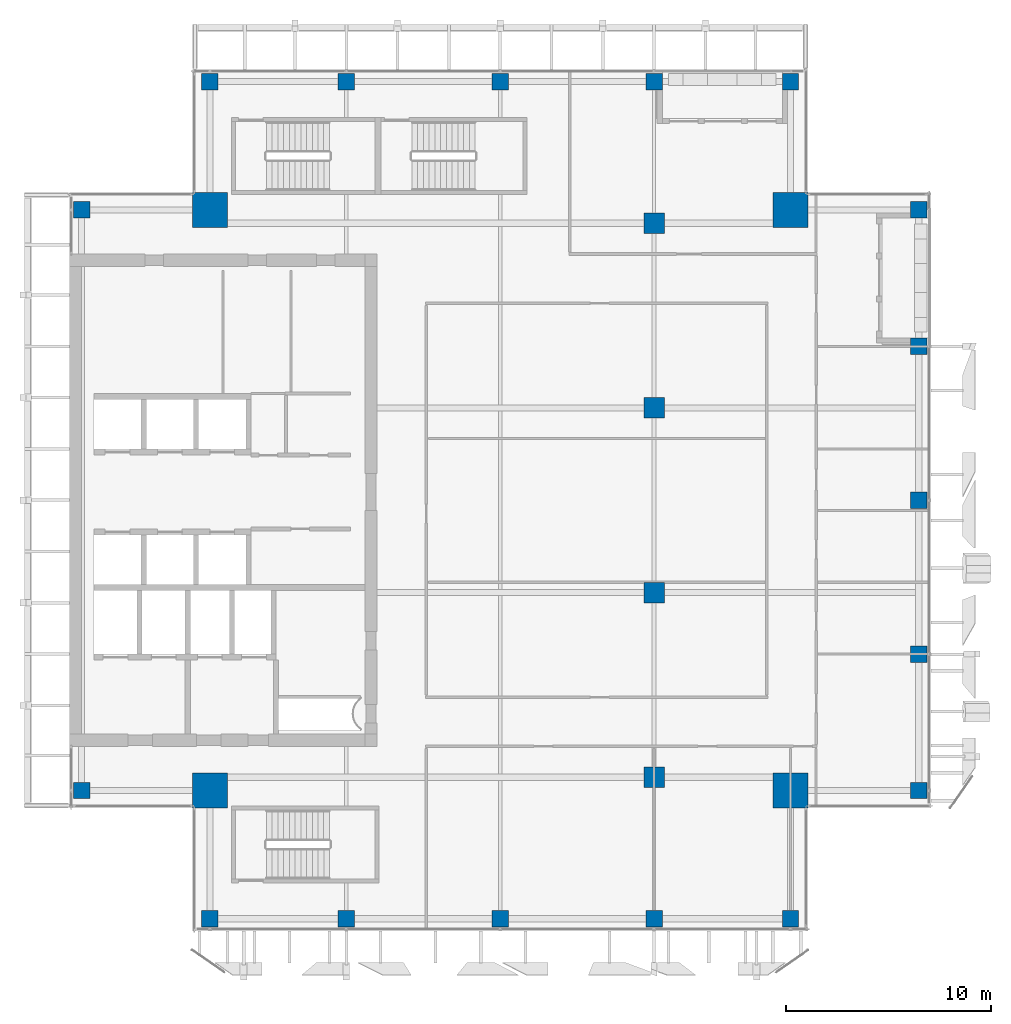
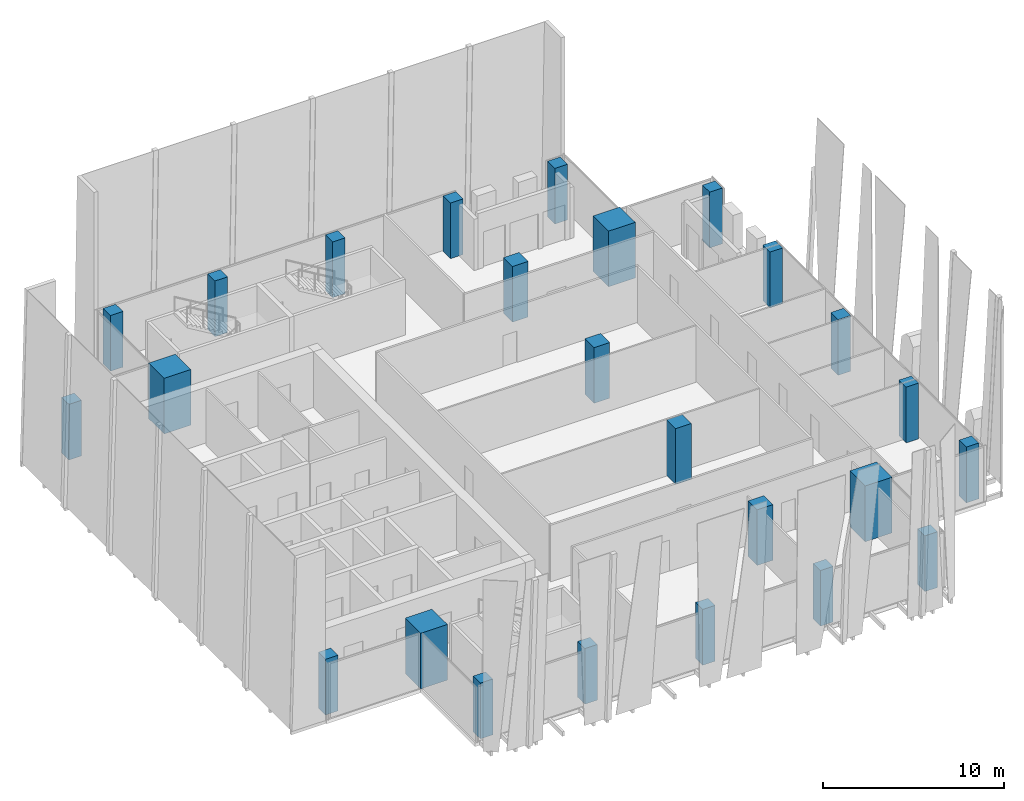
# One storey, part 1 of 33: 25 columns.
"""IFC4 building model written with IfcOpenShell, lengths in metres."""

from ifc_helpers import new_model, si_unit, direction, frame, origin, origin_2d, place, context, subcontext, project, spatial, rectangle, extrude, source, transform, mapped, material, material_profile, profile_set, type_object, element, save


model = new_model("IFC4")

# Units and contexts
model_context = context("Model", 3, precision=1e-05, world=origin(), true_north=direction((0.0, 1.0)))
body_context = subcontext(model_context, "Body", "Model", "MODEL_VIEW")
ifc_project = project(units=[si_unit("LENGTHUNIT", "METRE"), si_unit("AREAUNIT", "SQUARE_METRE"), si_unit("VOLUMEUNIT", "CUBIC_METRE"), si_unit("PLANEANGLEUNIT", "RADIAN"), si_unit("MASSUNIT", "GRAM", prefix="KILO")], contexts=[model_context])

# Site, building, storey
site_placement = place(None, origin())
site = spatial("IfcSite", under=ifc_project, at=site_placement, CompositionType="ELEMENT")
building_placement = place(site_placement, origin())
building = spatial("IfcBuilding", under=site, at=building_placement, Name="Khomas Fold Tower", CompositionType="ELEMENT")
storey_placement = place(building_placement, frame((0.0, 0.0, 294.199951171875)))
storey = spatial("IfcBuildingStorey", under=building, at=storey_placement, Name="L66", CompositionType="ELEMENT", Elevation=294.199951171875)

# Columns
ifc_material_1 = material(Name="Concrete C50/60", Category="concrete")
ifc_material_profile_1 = material_profile(ifc_material_1, rectangle(XDim=1.0, YDim=1.0, at=origin_2d()), Name="RC 1000x1000")
ifc_profile_set_1 = profile_set([ifc_material_profile_1], Name="Concrete C50/60")
column_type_1 = type_object("IfcColumnType", Name="RC 1000x1000 column", PredefinedType="COLUMN", material=ifc_profile_set_1)
shared_shape_1 = source(origin(), body_context, "Body", "SweptSolid", [
    extrude(rectangle(XDim=1.0, YDim=1.0, at=origin_2d()), origin(), (0.0, 0.0, 1.0), 3.75),
])
for number, where, z_axis, x_axis, name in (
    (1, (34.5, 13.5, 0.0), (0.0, 0.0, 1.0), (1.0, 0.0, 0.0), "C-10-H"),
    (2, (34.5, 22.5, 0.0), (0.0, 0.0, 1.0), (1.0, 0.0, 0.0), "C-10-K"),
    (3, (34.5, 31.5, 0.0), (0.0, 0.0, 1.0), (1.0, 0.0, 0.0), "C-10-M"),
    (4, (34.5, 40.5, 0.0), (0.0, 0.0, 1.0), (1.0, 0.0, 0.0), "C-10-P"),
):
    element("IfcColumn", number, at=place(storey_placement, frame(where, z_axis=z_axis, x_axis=x_axis)), inside=storey, type_object=column_type_1, Name=name, PredefinedType="COLUMN", context=body_context, shape_type="MappedRepresentation", body=[
        mapped(shared_shape_1, transform((0.0, 0.0, 0.0))),
    ])
ifc_material_2 = material(Name="Concrete C60/75", Category="concrete")
ifc_material_profile_2 = material_profile(ifc_material_2, rectangle(XDim=1.699951171875, YDim=1.699951171875, at=origin_2d()), Name="RC 1700x1700")
ifc_profile_set_2 = profile_set([ifc_material_profile_2], Name="Concrete C60/75")
column_type_2 = type_object("IfcColumnType", Name="RC 1700x1700 column", PredefinedType="COLUMN", material=ifc_profile_set_2)
shared_shape_2 = source(origin(), body_context, "Body", "SweptSolid", [
    extrude(rectangle(XDim=1.699951171875, YDim=1.699951171875, at=origin_2d()), origin(), (0.0, 0.0, 1.0), 3.75),
])
for number, where, z_axis, x_axis, name in (
    (5, (41.14990234375, 41.14990234375, 0.0), (0.0, 0.0, 1.0), (1.0, 0.0, 0.0), "CM-NE"),
    (6, (12.85009765625, 41.14990234375, 0.0), (0.0, 0.0, 1.0), (1.0, 0.0, 0.0), "CM-NW"),
    (7, (41.14990234375, 12.85009765625, 0.0), (0.0, 0.0, 1.0), (1.0, 0.0, 0.0), "CM-SE"),
    (8, (12.85009765625, 12.85009765625, 0.0), (0.0, 0.0, 1.0), (1.0, 0.0, 0.0), "CM-SW"),
):
    element("IfcColumn", number, at=place(storey_placement, frame(where, z_axis=z_axis, x_axis=x_axis)), inside=storey, type_object=column_type_2, Name=name, PredefinedType="COLUMN", context=body_context, shape_type="MappedRepresentation", body=[
        mapped(shared_shape_2, transform((0.0, 0.0, 0.0))),
    ])
ifc_material_3 = material(Name="Concrete C50/60", Category="concrete")
ifc_material_profile_3 = material_profile(ifc_material_3, rectangle(XDim=0.800048828125, YDim=0.800048828125, at=origin_2d()), Name="RC 800x800")
ifc_profile_set_3 = profile_set([ifc_material_profile_3], Name="Concrete C50/60")
column_type_3 = type_object("IfcColumnType", Name="RC 800x800 column", PredefinedType="COLUMN", material=ifc_profile_set_3)
shared_shape_3 = source(origin(), body_context, "Body", "SweptSolid", [
    extrude(rectangle(XDim=0.800048828125, YDim=0.800048828125, at=origin_2d()), origin(), (0.0, 0.0, 1.0), 3.75),
])
for number, where, z_axis, x_axis, name in (
    (9, (12.85009765625, 6.60009765625, 0.0), (0.0, 0.0, 1.0), (1.0, 0.0, 0.0), "C-7-SF5"),
    (10, (19.5, 6.60009765625, 0.0), (0.0, 0.0, 1.0), (1.0, 0.0, 0.0), "C-8-SF5"),
    (11, (27.0, 6.60009765625, 0.0), (0.0, 0.0, 1.0), (1.0, 0.0, 0.0), "C-9-SF5"),
    (12, (34.5, 6.60009765625, 0.0), (0.0, 0.0, 1.0), (1.0, 0.0, 0.0), "C-10-SF5"),
    (13, (41.14990234375, 6.60009765625, 0.0), (0.0, 0.0, 1.0), (1.0, 0.0, 0.0), "C-12-SF5"),
    (14, (47.39990234375, 12.85009765625, 0.0), (0.0, 0.0, 1.0), (1.0, 0.0, 0.0), "C-E5-G"),
    (15, (47.39990234375, 19.5, 0.0), (0.0, 0.0, 1.0), (1.0, 0.0, 0.0), "C-E5-J"),
    (16, (47.39990234375, 27.0, 0.0), (0.0, 0.0, 1.0), (1.0, 0.0, 0.0), "C-E5-L"),
    (17, (47.39990234375, 34.5, 0.0), (0.0, 0.0, 1.0), (1.0, 0.0, 0.0), "C-E5-N"),
    (18, (47.39990234375, 41.14990234375, 0.0), (0.0, 0.0, 1.0), (1.0, 0.0, 0.0), "C-E5-Q"),
    (19, (12.85009765625, 47.39990234375, 0.0), (0.0, 0.0, 1.0), (1.0, 0.0, 0.0), "C-7-NF5"),
    (20, (19.5, 47.39990234375, 0.0), (0.0, 0.0, 1.0), (1.0, 0.0, 0.0), "C-8-NF5"),
    (21, (27.0, 47.39990234375, 0.0), (0.0, 0.0, 1.0), (1.0, 0.0, 0.0), "C-9-NF5"),
    (22, (34.5, 47.39990234375, 0.0), (0.0, 0.0, 1.0), (1.0, 0.0, 0.0), "C-10-NF5"),
    (23, (41.14990234375, 47.39990234375, 0.0), (0.0, 0.0, 1.0), (1.0, 0.0, 0.0), "C-12-NF5"),
    (24, (6.60009765625, 12.85009765625, 0.0), (0.0, 0.0, 1.0), (1.0, 0.0, 0.0), "C-W5-G"),
    (25, (6.60009765625, 41.14990234375, 0.0), (0.0, 0.0, 1.0), (1.0, 0.0, 0.0), "C-W5-Q"),
):
    element("IfcColumn", number, at=place(storey_placement, frame(where, z_axis=z_axis, x_axis=x_axis)), inside=storey, type_object=column_type_3, Name=name, PredefinedType="COLUMN", context=body_context, shape_type="MappedRepresentation", body=[
        mapped(shared_shape_3, transform((0.0, 0.0, 0.0))),
    ])

save(model, "model.ifc")
